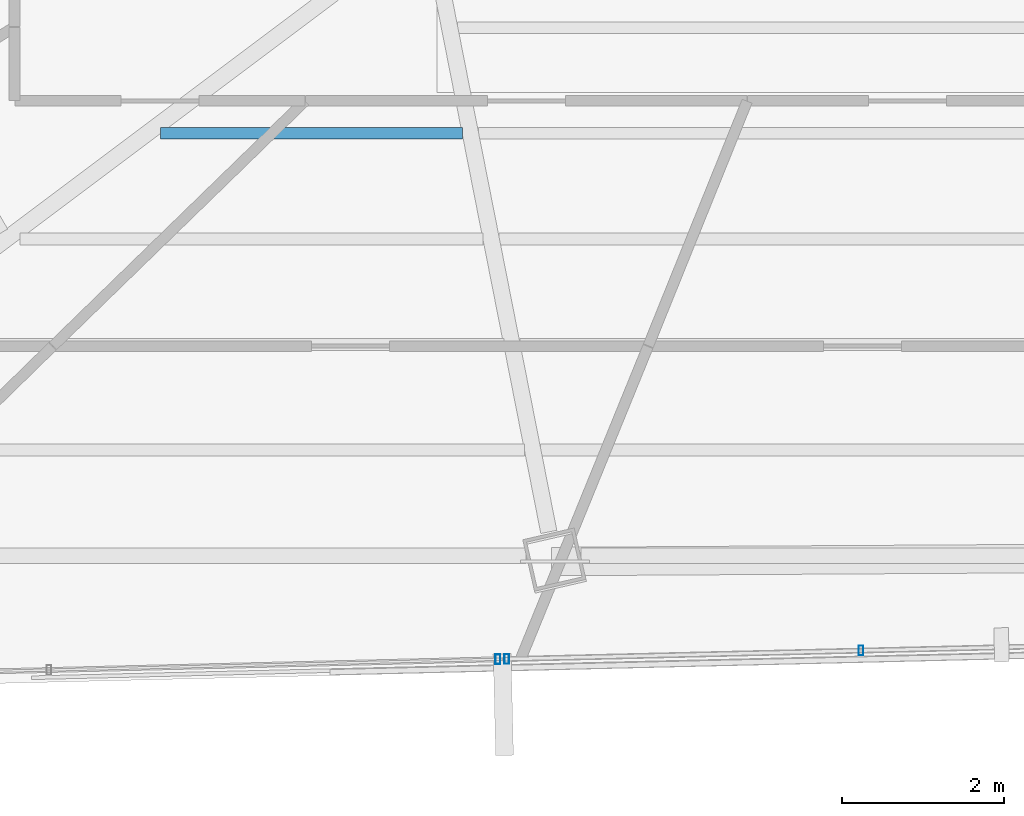
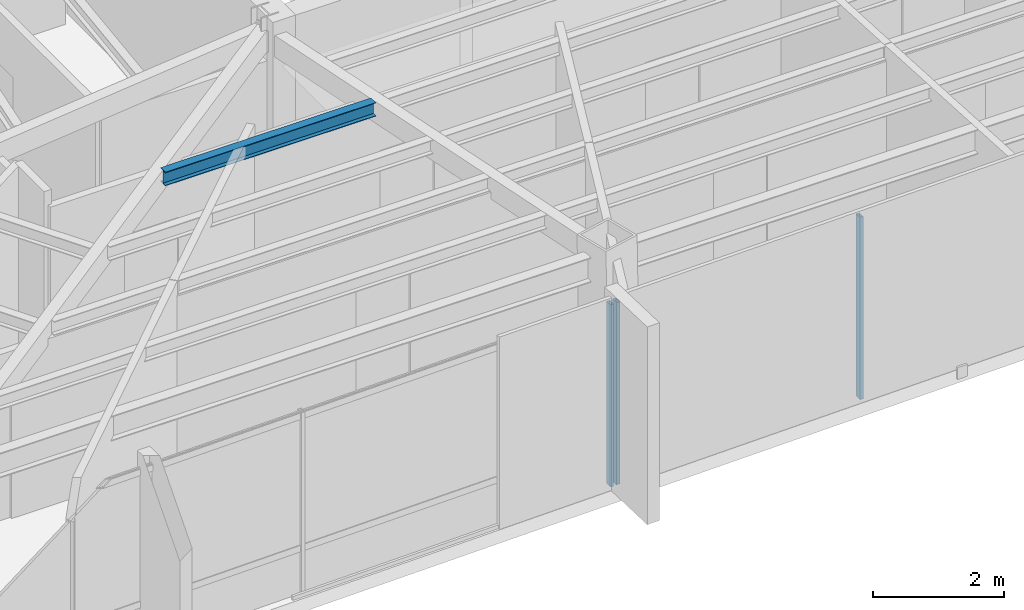
# One storey, part 11 of 45: 3 members, 1 beam, 2 elements without a shape of their own.
"""IFC4 building model written with IfcOpenShell, lengths in metres."""

from ifc_helpers import new_model, si_unit, direction, frame, origin, origin_2d, place, context, subcontext, project, spatial, hollow_rectangle, i_section, extrude, source, transform, mapped, material, material_profile, profile_set, type_object, type_shapes, element, aggregate, save


model = new_model("IFC4")

# Units and contexts
model_context = context("Model", 3, precision=1e-05, world=origin(), true_north=direction((0.0, 1.0)))
body_context = subcontext(model_context, "Body", "Model", "MODEL_VIEW")
ifc_project = project(units=[si_unit("LENGTHUNIT", "METRE"), si_unit("AREAUNIT", "SQUARE_METRE"), si_unit("VOLUMEUNIT", "CUBIC_METRE"), si_unit("PLANEANGLEUNIT", "RADIAN"), si_unit("MASSUNIT", "GRAM", prefix="KILO")], contexts=[model_context])

# Site, building, storey
site_placement = place(None, origin())
site = spatial("IfcSite", under=ifc_project, at=site_placement, CompositionType="ELEMENT")
building_placement = place(site_placement, origin())
building = spatial("IfcBuilding", under=site, at=building_placement, Name="Caelisora Broadcast Tower", CompositionType="ELEMENT")
storey_placement = place(building_placement, frame((0.0, 0.0, 266.35009765625)))
storey = spatial("IfcBuildingStorey", under=building, at=storey_placement, Name="L70", CompositionType="ELEMENT", Elevation=266.35009765625)

# Beam
ifc_material_1 = material(Name="Steel Grade 350 (AS/NZS 3679.1)", Category="steel")
ifc_material_profile_1 = material_profile(ifc_material_1, i_section(OverallWidth=0.14599609375, OverallDepth=0.256103515625, WebThickness=0.00634765625, FlangeThickness=0.010986328125, at=origin_2d()), Name="Steel Grade 350 (AS/NZS 3679.1)")
ifc_profile_set_1 = profile_set([ifc_material_profile_1], Name="Steel Grade 350 (AS/NZS 3679.1)")
beam_type = type_object("IfcBeamType", Name="SB04", PredefinedType="JOIST", material=ifc_profile_set_1)
shared_shape_1 = source(origin(), body_context, "Body", "SweptSolid", [
    extrude(i_section(OverallWidth=0.14599609375, OverallDepth=0.256103515625, WebThickness=0.00634765625, FlangeThickness=0.010986328125, at=origin_2d()), origin(), (0.0, 0.0, 1.0), 3.714599609375),
])
type_shapes(beam_type, [shared_shape_1])
beam_placement = place(storey_placement, frame((27.197998046875, 14.80029296875, 3.271728515625), z_axis=(1.0, 0.0, 0.0), x_axis=(0.0, 1.0, 0.0)))
element("IfcBeam", 1, at=beam_placement, inside=storey, type_object=beam_type, Name="L70 beam SB04", PredefinedType="JOIST", context=body_context, shape_type="MappedRepresentation", body=[
    mapped(shared_shape_1, transform((0.0, 0.0, 0.0), scale=1.0)),
])

# Curtain wall, members
ifc_material_2 = material(Name="Unitised Aluminium Insulated Shadow-Box Spandrel Curtain Wall", Category="aluminium")
curtain_wall_type_1 = type_object("IfcCurtainWallType", Name="CW-SP3", PredefinedType="NOTDEFINED", material=ifc_material_2)
curtain_wall_1_placement = place(storey_placement, origin())
curtain_wall_1 = element("IfcCurtainWall", 2, at=curtain_wall_1_placement, inside=storey, type_object=curtain_wall_type_1, Name="L70 curtain wall CW-SP3", PredefinedType="NOTDEFINED")
ifc_material_3 = material(Name="Aluminium 6063-T6 Anodised Terracotta Bronze", Category="aluminium")
ifc_material_profile_2 = material_profile(ifc_material_3, hollow_rectangle(XDim=0.06005859375, YDim=0.1201171875, WallThickness=0.0029296875, at=origin_2d()), Name="Aluminium 6063-T6 Anodised Terracotta Bronze")
ifc_profile_set_2 = profile_set([ifc_material_profile_2], Name="Aluminium 6063-T6 Anodised Terracotta Bronze")
member_type = type_object("IfcMemberType", Name="CWM-04", PredefinedType="MULLION", material=ifc_profile_set_2)
shared_shape_2 = source(origin(), body_context, "Body", "SweptSolid", [
    extrude(hollow_rectangle(XDim=0.06005859375, YDim=0.1201171875, WallThickness=0.0029296875, at=origin_2d()), origin(), (0.0, 0.0, 1.0), 3.39990234375),
])
type_shapes(member_type, [shared_shape_2])
member_1_placement = place(storey_placement, frame((35.819580078125, 8.4326171875, 0.0), z_axis=(0.0, 0.0, 1.0), x_axis=(1.0, 0.0, 0.0)))
member_1 = element("IfcMember", 3, at=member_1_placement, type_object=member_type, Name="L70-CW-B06 mullion #2", PredefinedType="MULLION", context=body_context, shape_type="MappedRepresentation", body=[
    mapped(shared_shape_2, transform((0.0, 0.0, 0.0), scale=1.0)),
])
member_2_placement = place(storey_placement, frame((31.459228515625, 8.328369140625, 0.0), z_axis=(0.0, 0.0, 1.0), x_axis=(1.0, 0.0, 0.0)))
member_2 = element("IfcMember", 4, at=member_2_placement, type_object=member_type, Name="L70-CW-B06 mullion #3", PredefinedType="MULLION", context=body_context, shape_type="MappedRepresentation", body=[
    mapped(shared_shape_2, transform((0.0, 0.0, 0.0), scale=1.0)),
])
aggregate(curtain_wall_1, [member_1, member_2])

# Curtain wall, member
ifc_material_4 = material(Name="Unitised Aluminium and Low-E Glass Curtain Wall", Category="glass")
curtain_wall_type_2 = type_object("IfcCurtainWallType", Name="CW-Z5", PredefinedType="NOTDEFINED", material=ifc_material_4)
curtain_wall_2_placement = place(storey_placement, origin())
curtain_wall_2 = element("IfcCurtainWall", 5, at=curtain_wall_2_placement, inside=storey, type_object=curtain_wall_type_2, Name="L70 curtain wall CW-Z5", PredefinedType="NOTDEFINED")
member_3_placement = place(storey_placement, frame((31.349365234375, 8.32568359375, 0.0), z_axis=(0.0, 0.0, 1.0), x_axis=(1.0, 0.0, 0.0)))
member_3 = element("IfcMember", 6, at=member_3_placement, type_object=member_type, Name="L70-CW-B07 mullion #0", PredefinedType="MULLION", context=body_context, shape_type="MappedRepresentation", body=[
    mapped(shared_shape_2, transform((0.0, 0.0, 0.0), scale=1.0)),
])
aggregate(curtain_wall_2, [member_3])

save(model, "model.ifc")
